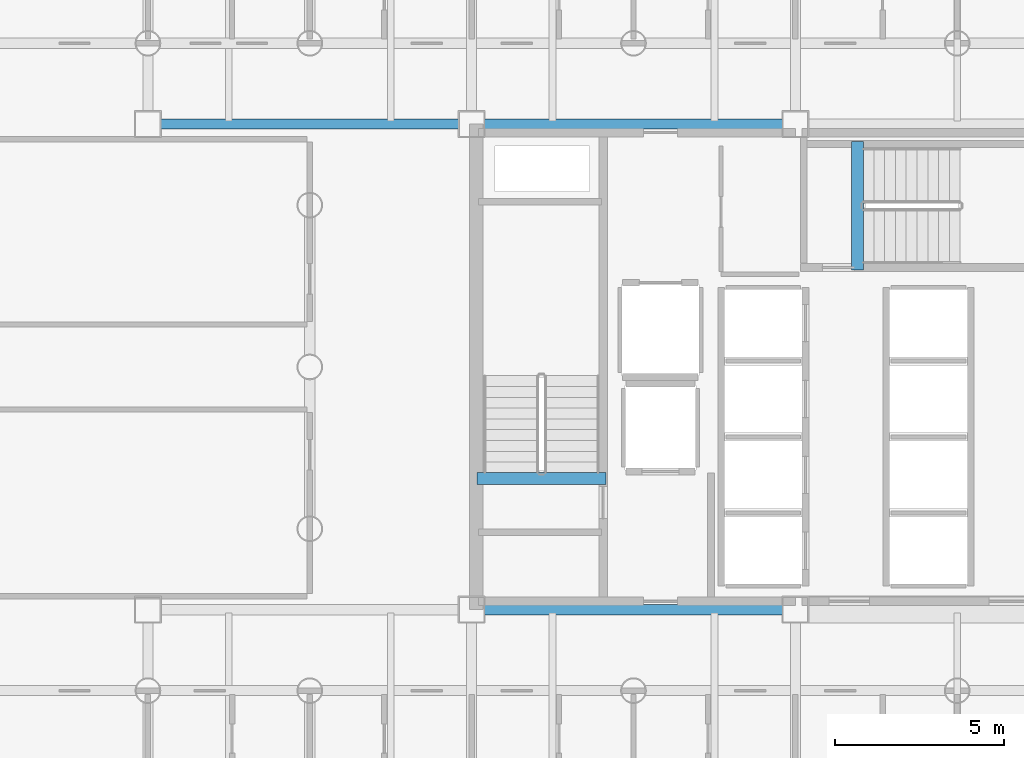
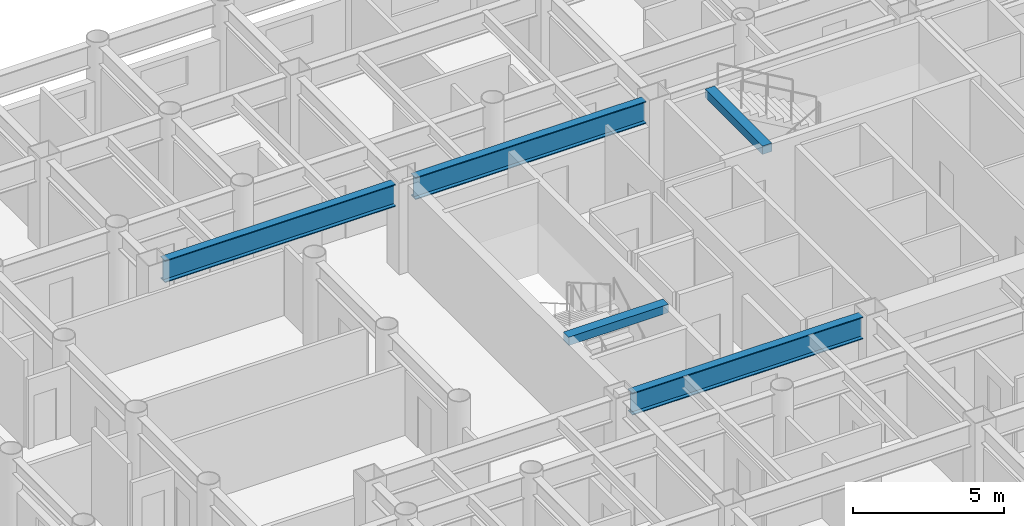
# One storey, part 5 of 22: 5 beams.
"""IFC4 building model written with IfcOpenShell, lengths in metres."""

from ifc_helpers import new_model, si_unit, direction, frame, origin, origin_2d, place, context, subcontext, project, spatial, rectangle, i_section, extrude, material, material_profile, profile_set, type_object, element, save


model = new_model("IFC4")

# Units and contexts
model_context = context("Model", 3, precision=1e-05, world=origin(), true_north=direction((0.0, 1.0)))
body_context = subcontext(model_context, "Body", "Model", "MODEL_VIEW")
ifc_project = project(units=[si_unit("LENGTHUNIT", "METRE"), si_unit("AREAUNIT", "SQUARE_METRE"), si_unit("VOLUMEUNIT", "CUBIC_METRE"), si_unit("PLANEANGLEUNIT", "RADIAN"), si_unit("MASSUNIT", "GRAM", prefix="KILO")], contexts=[model_context])

# Site, building, storey
site_placement = place(None, origin())
site = spatial("IfcSite", under=ifc_project, at=site_placement, CompositionType="ELEMENT")
building_placement = place(site_placement, origin())
building = spatial("IfcBuilding", under=site, at=building_placement, Name="Kallvorn Hotel Tower", CompositionType="ELEMENT")
storey_placement = place(building_placement, frame((0.0, 0.0, 33.699951171875)))
storey = spatial("IfcBuildingStorey", under=building, at=storey_placement, Name="L06", CompositionType="ELEMENT", Elevation=33.699951171875)

# Beams
ifc_material_1 = material(Name="Structural steel S355JR", Category="steel")
ifc_material_profile_1 = material_profile(ifc_material_1, i_section(OverallWidth=0.300048828125, OverallDepth=0.89990234375, WebThickness=0.0185546875, FlangeThickness=0.034912109375, at=origin_2d()), Name="HE 900 B")
ifc_profile_set_1 = profile_set([ifc_material_profile_1], Name="Structural steel S355JR")
beam_type_1 = type_object("IfcBeamType", Name="BM_HE900B", PredefinedType="BEAM", material=ifc_profile_set_1)
beam_1_placement = place(storey_placement, frame((-14.02490234375, -7.199951171875, 3.070068359375), z_axis=(1.0, 0.0, 0.0), x_axis=(0.0, 1.0, 0.0)))
element("IfcBeam", 1, at=beam_1_placement, inside=storey, type_object=beam_type_1, Name="L07 Primary X-Girder 34", PredefinedType="BEAM", context=body_context, shape_type="SweptSolid", body=[
    extrude(i_section(OverallWidth=0.300048828125, OverallDepth=0.89990234375, WebThickness=0.0185546875, FlangeThickness=0.034912109375, at=origin_2d()), origin(), (0.0, 0.0, 1.0), 8.849853515625),
])
beam_2_placement = place(storey_placement, frame((-23.625, 7.199951171875, 3.070068359375), z_axis=(1.0, 0.0, 0.0), x_axis=(0.0, 1.0, 0.0)))
element("IfcBeam", 2, at=beam_2_placement, inside=storey, type_object=beam_type_1, Name="L07 Primary X-Girder 37", PredefinedType="BEAM", context=body_context, shape_type="SweptSolid", body=[
    extrude(i_section(OverallWidth=0.300048828125, OverallDepth=0.89990234375, WebThickness=0.0185546875, FlangeThickness=0.034912109375, at=origin_2d()), origin(), (0.0, 0.0, 1.0), 8.85009765625),
])
beam_3_placement = place(storey_placement, frame((-14.02490234375, 7.199951171875, 3.070068359375), z_axis=(1.0, 0.0, 0.0), x_axis=(0.0, 1.0, 0.0)))
element("IfcBeam", 3, at=beam_3_placement, inside=storey, type_object=beam_type_1, Name="L07 Primary X-Girder 38", PredefinedType="BEAM", context=body_context, shape_type="SweptSolid", body=[
    extrude(i_section(OverallWidth=0.300048828125, OverallDepth=0.89990234375, WebThickness=0.0185546875, FlangeThickness=0.034912109375, at=origin_2d()), origin(), (0.0, 0.0, 1.0), 8.849853515625),
])
ifc_material_2 = material(Name="Concrete C50/60", Category="concrete")
ifc_material_profile_2 = material_profile(ifc_material_2, rectangle(XDim=0.360107421875, YDim=0.340087890625, at=origin_2d()), Name="RC 360x340")
ifc_profile_set_2 = profile_set([ifc_material_profile_2], Name="Concrete C50/60")
beam_type_2 = type_object("IfcBeamType", Name="BM_RC_400x360", PredefinedType="BEAM", material=ifc_profile_set_2)
beam_4_placement = place(storey_placement, frame((-10.419921875, -3.31005859375, 3.35009765625), z_axis=(-1.0, 0.0, 0.0), x_axis=(0.0, -1.0, 0.0)))
element("IfcBeam", 4, at=beam_4_placement, inside=storey, type_object=beam_type_2, Name="L07 Stair ST1 Arrival Trimmer Beam", PredefinedType="BEAM", context=body_context, shape_type="SweptSolid", body=[
    extrude(rectangle(XDim=0.360107421875, YDim=0.340087890625, at=origin_2d()), origin(), (0.0, 0.0, 1.0), 3.820068359375),
])
beam_5_placement = place(storey_placement, frame((-2.9599609375, 2.8701171875, 3.35009765625), z_axis=(0.0, 1.0, 0.0), x_axis=(-1.0, 0.0, 0.0)))
element("IfcBeam", 5, at=beam_5_placement, inside=storey, type_object=beam_type_2, Name="L07 Stair ST3 Arrival Trimmer Beam", PredefinedType="BEAM", context=body_context, shape_type="SweptSolid", body=[
    extrude(rectangle(XDim=0.360107421875, YDim=0.340087890625, at=origin_2d()), origin(), (0.0, 0.0, 1.0), 3.81982421875),
])

save(model, "model.ifc")
